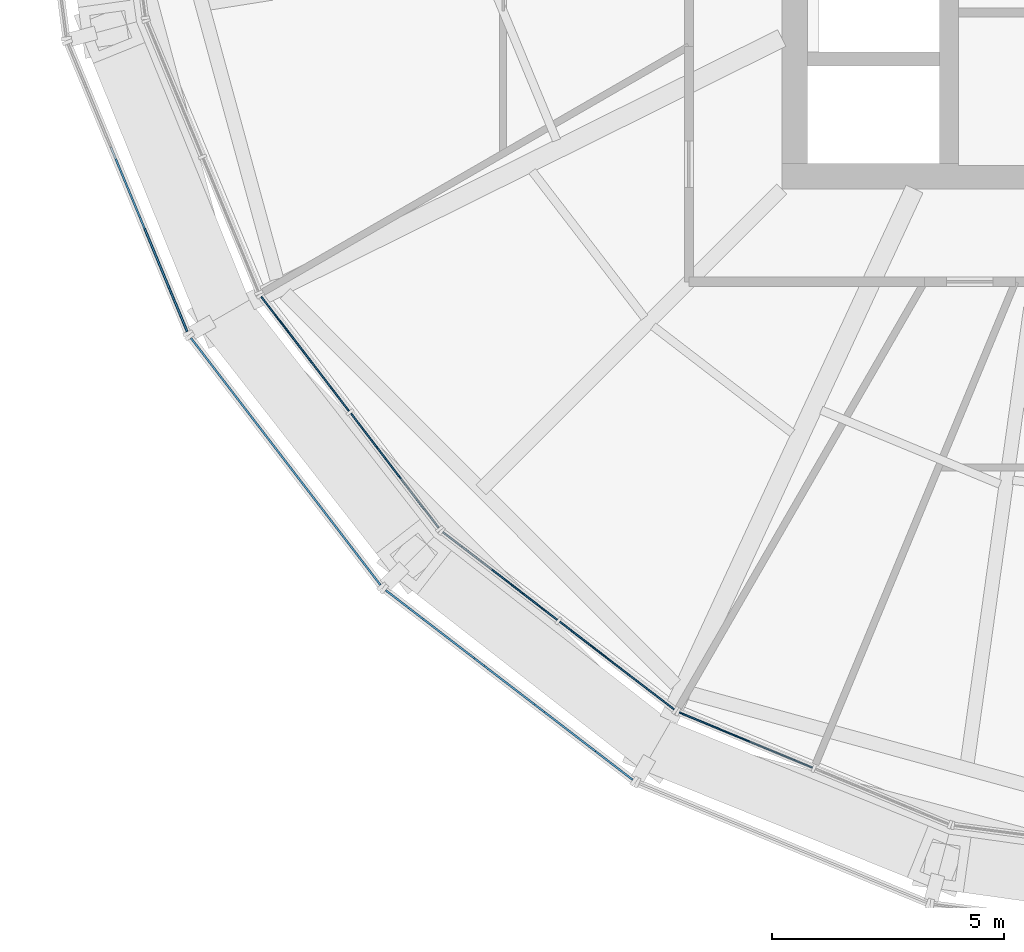
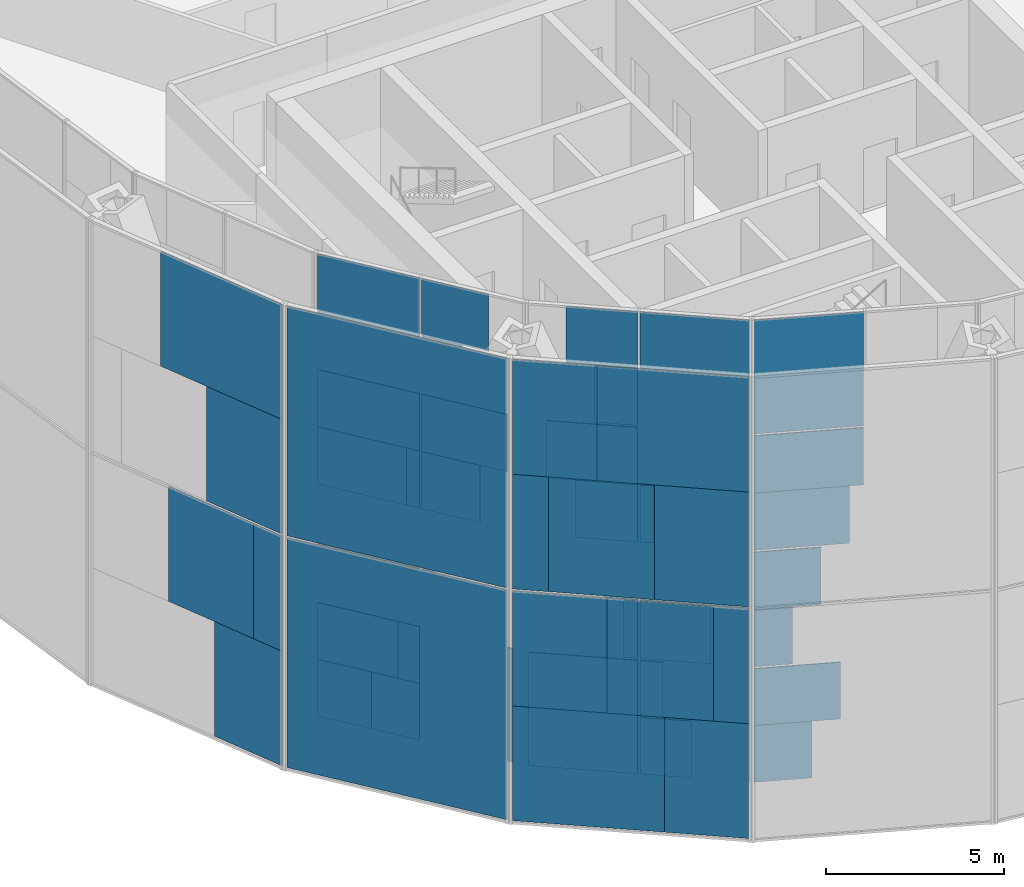
# One storey, part 13 of 29: 62 plates, 6 elements without a shape of their own.
"""IFC4 building model written with IfcOpenShell, lengths in metres."""

from ifc_helpers import new_model, si_unit, direction, frame, origin, origin_2d, place, context, subcontext, project, spatial, rectangle, extrude, material, layer, layer_set, type_object, element, aggregate, save


model = new_model("IFC4")

# Units and contexts
model_context = context("Model", 3, precision=1e-05, world=origin(), true_north=direction((0.0, 1.0)))
body_context = subcontext(model_context, "Body", "Model", "MODEL_VIEW")
ifc_project = project(units=[si_unit("LENGTHUNIT", "METRE"), si_unit("AREAUNIT", "SQUARE_METRE"), si_unit("VOLUMEUNIT", "CUBIC_METRE"), si_unit("PLANEANGLEUNIT", "RADIAN"), si_unit("MASSUNIT", "GRAM", prefix="KILO")], contexts=[model_context])

# Site, building, storey
site_placement = place(None, origin())
site = spatial("IfcSite", under=ifc_project, at=site_placement, CompositionType="ELEMENT")
building_placement = place(site_placement, origin())
building = spatial("IfcBuilding", under=site, at=building_placement, Name="Golbaran Civic Tower", CompositionType="ELEMENT")
storey_placement = place(building_placement, frame((0.0, 0.0, 118.0)))
storey = spatial("IfcBuildingStorey", under=building, at=storey_placement, Name="L28", CompositionType="ELEMENT", Elevation=118.0)

# Curtain wall, plates
ifc_material_1 = material(Name="Aluminium and glass", Category="aluminium")
curtain_wall_type_1 = type_object("IfcCurtainWallType", Name="INNER SKIN CURTAIN WALL", PredefinedType="NOTDEFINED", material=ifc_material_1)
curtain_wall_1_placement = place(storey_placement, origin())
curtain_wall_1 = element("IfcCurtainWall", 1, at=curtain_wall_1_placement, inside=storey, type_object=curtain_wall_type_1, Name="Inner skin L28 facet 15 CW1", ObjectType="INNER SKIN", PredefinedType="USERDEFINED")
ifc_material_2 = material(Name="Clear insulating glass", Category="glass")
ifc_layer_1 = layer(ifc_material_2, 0.031982421875, Name="Clear insulating glass")
ifc_layer_set_1 = layer_set([ifc_layer_1], Name="Clear insulating glass")
plate_type_1 = type_object("IfcPlateType", Name="INNER SKIN CURTAIN WALL GLAZED PANEL", PredefinedType="CURTAIN_PANEL", material=ifc_layer_set_1)
plate_1_placement = place(storey_placement, frame((-19.761474609375, -14.203125, 0.06494140625), z_axis=(0.0, 0.0, 1.0), x_axis=(0.608761428898, -0.793353340376, 0.0)))
plate_1 = element("IfcPlate", 2, at=plate_1_placement, type_object=plate_type_1, Name="CW1 panel 1.1 part 2", PredefinedType="CURTAIN_PANEL", context=body_context, shape_type="SweptSolid", body=[
    extrude(rectangle(XDim=1.458740234375, YDim=0.031982421875, at=origin_2d()), origin(), (0.0, 0.0, 1.0), 1.951171875),
])
plate_2_placement = place(storey_placement, frame((-19.515869140625, -14.523193359375, 2.016357421875), z_axis=(0.0, 0.0, 1.0), x_axis=(0.608761428898, -0.793353340376, 0.0)))
plate_2 = element("IfcPlate", 3, at=plate_2_placement, type_object=plate_type_1, Name="CW1 panel 1.1 part 4", PredefinedType="CURTAIN_PANEL", context=body_context, shape_type="SweptSolid", body=[
    extrude(rectangle(XDim=0.65185546875, YDim=0.031982421875, at=origin_2d()), origin(), (0.0, 0.0, 1.0), 1.951171875),
])
plate_3_placement = place(storey_placement, frame((-20.87548828125, -12.751220703125, 4.03271484375), z_axis=(0.0, 0.0, 1.0), x_axis=(0.608761428898, -0.793353340376, 0.0)))
plate_3 = element("IfcPlate", 4, at=plate_3_placement, type_object=plate_type_1, Name="CW1 panel 1.2 part 1", PredefinedType="CURTAIN_PANEL", context=body_context, shape_type="SweptSolid", body=[
    extrude(rectangle(XDim=1.091064453125, YDim=0.031982421875, at=origin_2d()), origin(), (0.0, 0.0, 1.0), 1.967529296875),
])
plate_4_placement = place(storey_placement, frame((-20.627685546875, -13.07421875, 6.0), z_axis=(0.0, 0.0, 1.0), x_axis=(0.608761428898, -0.793353340376, 0.0)))
plate_4 = element("IfcPlate", 5, at=plate_4_placement, type_object=plate_type_1, Name="CW1 panel 1.2 part 3", PredefinedType="CURTAIN_PANEL", context=body_context, shape_type="SweptSolid", body=[
    extrude(rectangle(XDim=1.905029296875, YDim=0.031982421875, at=origin_2d()), origin(), (0.0, 0.0, 1.0), 1.967529296875),
])
plate_5_placement = place(storey_placement, frame((-20.384765625, -13.390869140625, 8.03271484375), z_axis=(0.0, 0.0, 1.0), x_axis=(0.608761428898, -0.793353340376, 0.0)))
plate_5 = element("IfcPlate", 6, at=plate_5_placement, type_object=plate_type_1, Name="CW1 panel 1.3 part 1", PredefinedType="CURTAIN_PANEL", context=body_context, shape_type="SweptSolid", body=[
    extrude(rectangle(XDim=2.702880859375, YDim=0.031982421875, at=origin_2d()), origin(), (0.0, 0.0, 1.0), 1.967529296875),
])
plate_6_placement = place(storey_placement, frame((-20.262451171875, -13.55029296875, 10.0), z_axis=(0.0, 0.0, 1.0), x_axis=(0.608761428898, -0.793353340376, 0.0)))
plate_6 = element("IfcPlate", 7, at=plate_6_placement, type_object=plate_type_1, Name="CW1 panel 1.3 part 3", PredefinedType="CURTAIN_PANEL", context=body_context, shape_type="SweptSolid", body=[
    extrude(rectangle(XDim=3.104736328125, YDim=0.031982421875, at=origin_2d()), origin(), (0.0, 0.0, 1.0), 1.967529296875),
])
plate_7_placement = place(storey_placement, frame((-20.262451171875, -13.55029296875, 12.0322265625), z_axis=(0.0, 0.0, 1.0), x_axis=(0.608761428898, -0.793353340376, 0.0)))
plate_7 = element("IfcPlate", 8, at=plate_7_placement, type_object=plate_type_1, Name="CW1 panel 1.4", PredefinedType="CURTAIN_PANEL", context=body_context, shape_type="SweptSolid", body=[
    extrude(rectangle(XDim=3.104736328125, YDim=0.031982421875, at=origin_2d()), origin(), (0.0, 0.0, 1.0), 3.902587890625),
])
plate_8_placement = place(storey_placement, frame((-18.332763671875, -16.06494140625, 0.06494140625), z_axis=(0.0, 0.0, 1.0), x_axis=(0.608761428898, -0.793353340376, 0.0)))
plate_8 = element("IfcPlate", 9, at=plate_8_placement, type_object=plate_type_1, Name="CW1 panel 2.1", PredefinedType="CURTAIN_PANEL", context=body_context, shape_type="SweptSolid", body=[
    extrude(rectangle(XDim=3.104736328125, YDim=0.031982421875, at=origin_2d()), origin(), (0.0, 0.0, 1.0), 3.902587890625),
])
plate_9_placement = place(storey_placement, frame((-18.90283203125, -15.322021484375, 12.032470703125), z_axis=(0.0, 0.0, 1.0), x_axis=(0.608761428898, -0.793353340376, 0.0)))
plate_9 = element("IfcPlate", 10, at=plate_9_placement, type_object=plate_type_1, Name="CW1 panel 2.4 part 1", PredefinedType="CURTAIN_PANEL", context=body_context, shape_type="SweptSolid", body=[
    extrude(rectangle(XDim=1.23193359375, YDim=0.031982421875, at=origin_2d()), origin(), (0.0, 0.0, 1.0), 1.951171875),
])
plate_10_placement = place(storey_placement, frame((-18.656982421875, -15.642578125, 13.98388671875), z_axis=(0.0, 0.0, 1.0), x_axis=(0.608761428898, -0.793353340376, 0.0)))
plate_10 = element("IfcPlate", 11, at=plate_10_placement, type_object=plate_type_1, Name="CW1 panel 2.4 part 3", PredefinedType="CURTAIN_PANEL", context=body_context, shape_type="SweptSolid", body=[
    extrude(rectangle(XDim=2.0400390625, YDim=0.031982421875, at=origin_2d()), origin(), (0.0, 0.0, 1.0), 1.951171875),
])

curtain_wall_2_placement = place(storey_placement, origin())
curtain_wall_2 = element("IfcCurtainWall", 12, at=curtain_wall_2_placement, inside=storey, type_object=curtain_wall_type_1, Name="Inner skin L28 facet 16 CW1", ObjectType="INNER SKIN", PredefinedType="USERDEFINED")
plate_11_placement = place(storey_placement, frame((-16.06494140625, -18.332763671875, 0.06494140625), z_axis=(0.0, 0.0, 1.0), x_axis=(0.793353340376, -0.608761428898, 0.0)))
plate_11 = element("IfcPlate", 13, at=plate_11_placement, type_object=plate_type_1, Name="CW1 panel 1.1", PredefinedType="CURTAIN_PANEL", context=body_context, shape_type="SweptSolid", body=[
    extrude(rectangle(XDim=3.104736328125, YDim=0.031982421875, at=origin_2d()), origin(), (0.0, 0.0, 1.0), 3.902587890625),
])
plate_12_placement = place(storey_placement, frame((-15.322021484375, -18.90283203125, 12.032470703125), z_axis=(0.0, 0.0, 1.0), x_axis=(0.793353340376, -0.608761428898, 0.0)))
plate_12 = element("IfcPlate", 14, at=plate_12_placement, type_object=plate_type_1, Name="CW1 panel 1.4 part 2", PredefinedType="CURTAIN_PANEL", context=body_context, shape_type="SweptSolid", body=[
    extrude(rectangle(XDim=1.23193359375, YDim=0.031982421875, at=origin_2d()), origin(), (0.0, 0.0, 1.0), 1.951171875),
])
plate_13_placement = place(storey_placement, frame((-15.642578125, -18.656982421875, 13.98388671875), z_axis=(0.0, 0.0, 1.0), x_axis=(0.793353340376, -0.608761428898, 0.0)))
plate_13 = element("IfcPlate", 15, at=plate_13_placement, type_object=plate_type_1, Name="CW1 panel 1.4 part 4", PredefinedType="CURTAIN_PANEL", context=body_context, shape_type="SweptSolid", body=[
    extrude(rectangle(XDim=2.039794921875, YDim=0.031982421875, at=origin_2d()), origin(), (0.0, 0.0, 1.0), 1.951171875),
])
plate_14_placement = place(storey_placement, frame((-14.203125, -19.761474609375, 0.06494140625), z_axis=(0.0, 0.0, 1.0), x_axis=(0.793353340376, -0.608761428898, 0.0)))
plate_14 = element("IfcPlate", 16, at=plate_14_placement, type_object=plate_type_1, Name="CW1 panel 2.1 part 1", PredefinedType="CURTAIN_PANEL", context=body_context, shape_type="SweptSolid", body=[
    extrude(rectangle(XDim=1.458984375, YDim=0.031982421875, at=origin_2d()), origin(), (0.0, 0.0, 1.0), 1.951171875),
])
plate_15_placement = place(storey_placement, frame((-14.5234375, -19.515625, 2.016357421875), z_axis=(0.0, 0.0, 1.0), x_axis=(0.793353340376, -0.608761428898, 0.0)))
plate_15 = element("IfcPlate", 17, at=plate_15_placement, type_object=plate_type_1, Name="CW1 panel 2.1 part 3", PredefinedType="CURTAIN_PANEL", context=body_context, shape_type="SweptSolid", body=[
    extrude(rectangle(XDim=0.65087890625, YDim=0.031982421875, at=origin_2d()), origin(), (0.0, 0.0, 1.0), 1.951171875),
])
plate_16_placement = place(storey_placement, frame((-12.751220703125, -20.87548828125, 4.03271484375), z_axis=(0.0, 0.0, 1.0), x_axis=(0.793353340376, -0.608761428898, 0.0)))
plate_16 = element("IfcPlate", 18, at=plate_16_placement, type_object=plate_type_1, Name="CW1 panel 2.2 part 2", PredefinedType="CURTAIN_PANEL", context=body_context, shape_type="SweptSolid", body=[
    extrude(rectangle(XDim=1.0908203125, YDim=0.031982421875, at=origin_2d()), origin(), (0.0, 0.0, 1.0), 1.967529296875),
])
plate_17_placement = place(storey_placement, frame((-13.074462890625, -20.62744140625, 6.0), z_axis=(0.0, 0.0, 1.0), x_axis=(0.793353340376, -0.608761428898, 0.0)))
plate_17 = element("IfcPlate", 19, at=plate_17_placement, type_object=plate_type_1, Name="CW1 panel 2.2 part 4", PredefinedType="CURTAIN_PANEL", context=body_context, shape_type="SweptSolid", body=[
    extrude(rectangle(XDim=1.90576171875, YDim=0.031982421875, at=origin_2d()), origin(), (0.0, 0.0, 1.0), 1.967529296875),
])
plate_18_placement = place(storey_placement, frame((-13.3916015625, -20.38427734375, 8.03271484375), z_axis=(0.0, 0.0, 1.0), x_axis=(0.793353340376, -0.608761428898, 0.0)))
plate_18 = element("IfcPlate", 20, at=plate_18_placement, type_object=plate_type_1, Name="CW1 panel 2.3 part 2", PredefinedType="CURTAIN_PANEL", context=body_context, shape_type="SweptSolid", body=[
    extrude(rectangle(XDim=2.704833984375, YDim=0.031982421875, at=origin_2d()), origin(), (0.0, 0.0, 1.0), 1.967529296875),
])
plate_19_placement = place(storey_placement, frame((-13.55029296875, -20.262451171875, 10.0), z_axis=(0.0, 0.0, 1.0), x_axis=(0.793353340376, -0.608761428898, 0.0)))
plate_19 = element("IfcPlate", 21, at=plate_19_placement, type_object=plate_type_1, Name="CW1 panel 2.3 part 3", PredefinedType="CURTAIN_PANEL", context=body_context, shape_type="SweptSolid", body=[
    extrude(rectangle(XDim=3.104736328125, YDim=0.031982421875, at=origin_2d()), origin(), (0.0, 0.0, 1.0), 1.967529296875),
])
plate_20_placement = place(storey_placement, frame((-13.55029296875, -20.262451171875, 12.0322265625), z_axis=(0.0, 0.0, 1.0), x_axis=(0.793353340376, -0.608761428898, 0.0)))
plate_20 = element("IfcPlate", 22, at=plate_20_placement, type_object=plate_type_1, Name="CW1 panel 2.4", PredefinedType="CURTAIN_PANEL", context=body_context, shape_type="SweptSolid", body=[
    extrude(rectangle(XDim=3.104736328125, YDim=0.031982421875, at=origin_2d()), origin(), (0.0, 0.0, 1.0), 3.902587890625),
])

curtain_wall_3_placement = place(storey_placement, origin())
curtain_wall_3 = element("IfcCurtainWall", 23, at=curtain_wall_3_placement, inside=storey, type_object=curtain_wall_type_1, Name="Inner skin L28 facet 17 CW1", ObjectType="INNER SKIN", PredefinedType="USERDEFINED")
plate_21_placement = place(storey_placement, frame((-11.702880859375, -21.480712890625, 4.03271484375), z_axis=(0.0, 0.0, 1.0), x_axis=(0.923879532485, -0.38268343243, 0.0)))
plate_21 = element("IfcPlate", 24, at=plate_21_placement, type_object=plate_type_1, Name="CW1 panel 1.2 part 1", PredefinedType="CURTAIN_PANEL", context=body_context, shape_type="SweptSolid", body=[
    extrude(rectangle(XDim=1.091064453125, YDim=0.031982421875, at=origin_2d()), origin(), (0.0, 0.0, 1.0), 1.967529296875),
])
plate_22_placement = place(storey_placement, frame((-11.326904296875, -21.636474609375, 6.0), z_axis=(0.0, 0.0, 1.0), x_axis=(0.923879532485, -0.38268343243, 0.0)))
plate_22 = element("IfcPlate", 25, at=plate_22_placement, type_object=plate_type_1, Name="CW1 panel 1.2 part 3", PredefinedType="CURTAIN_PANEL", context=body_context, shape_type="SweptSolid", body=[
    extrude(rectangle(XDim=1.905029296875, YDim=0.031982421875, at=origin_2d()), origin(), (0.0, 0.0, 1.0), 1.967529296875),
])
plate_23_placement = place(storey_placement, frame((-10.958251953125, -21.7890625, 8.03271484375), z_axis=(0.0, 0.0, 1.0), x_axis=(0.923879532485, -0.38268343243, 0.0)))
plate_23 = element("IfcPlate", 26, at=plate_23_placement, type_object=plate_type_1, Name="CW1 panel 1.3 part 1", PredefinedType="CURTAIN_PANEL", context=body_context, shape_type="SweptSolid", body=[
    extrude(rectangle(XDim=2.702880859375, YDim=0.031982421875, at=origin_2d()), origin(), (0.0, 0.0, 1.0), 1.967529296875),
])
plate_24_placement = place(storey_placement, frame((-10.772705078125, -21.865966796875, 10.0), z_axis=(0.0, 0.0, 1.0), x_axis=(0.923879532485, -0.38268343243, 0.0)))
plate_24 = element("IfcPlate", 27, at=plate_24_placement, type_object=plate_type_1, Name="CW1 panel 1.3 part 3", PredefinedType="CURTAIN_PANEL", context=body_context, shape_type="SweptSolid", body=[
    extrude(rectangle(XDim=3.104736328125, YDim=0.031982421875, at=origin_2d()), origin(), (0.0, 0.0, 1.0), 1.967529296875),
])
plate_25_placement = place(storey_placement, frame((-10.772705078125, -21.865966796875, 12.0322265625), z_axis=(0.0, 0.0, 1.0), x_axis=(0.923879532485, -0.38268343243, 0.0)))
plate_25 = element("IfcPlate", 28, at=plate_25_placement, type_object=plate_type_1, Name="CW1 panel 1.4", PredefinedType="CURTAIN_PANEL", context=body_context, shape_type="SweptSolid", body=[
    extrude(rectangle(XDim=3.104736328125, YDim=0.031982421875, at=origin_2d()), origin(), (0.0, 0.0, 1.0), 3.902587890625),
])

# Plate
ifc_material_3 = material(Name="Aluminium faced opaque infill panel", Category="aluminium")
ifc_layer_2 = layer(ifc_material_3, 0.031982421875, Name="Aluminium faced opaque infill panel")
ifc_layer_set_2 = layer_set([ifc_layer_2], Name="Aluminium faced opaque infill panel")
plate_type_2 = type_object("IfcPlateType", Name="INNER SKIN CURTAIN WALL OPAQUE INFILL PANEL", PredefinedType="CURTAIN_PANEL", material=ifc_layer_set_2)
plate_26_placement = place(storey_placement, frame((-20.70654296875, -12.971435546875, 0.06494140625), z_axis=(0.0, 0.0, 1.0), x_axis=(0.608761428898, -0.793353340376, 0.0)))
plate_26 = element("IfcPlate", 29, at=plate_26_placement, type_object=plate_type_2, Name="CW1 infill panel 1.1 part 1", PredefinedType="CURTAIN_PANEL", context=body_context, shape_type="SweptSolid", body=[
    extrude(rectangle(XDim=1.64599609375, YDim=0.031982421875, at=origin_2d()), origin(), (0.0, 0.0, 1.0), 1.951171875),
])

plate_27_placement = place(storey_placement, frame((-20.4609375, -13.29150390625, 2.016357421875), z_axis=(0.0, 0.0, 1.0), x_axis=(0.608761428898, -0.793353340376, 0.0)))
plate_27 = element("IfcPlate", 30, at=plate_27_placement, type_object=plate_type_2, Name="CW1 infill panel 1.1 part 3", PredefinedType="CURTAIN_PANEL", context=body_context, shape_type="SweptSolid", body=[
    extrude(rectangle(XDim=2.452880859375, YDim=0.031982421875, at=origin_2d()), origin(), (0.0, 0.0, 1.0), 1.951171875),
])

plate_28_placement = place(storey_placement, frame((-19.930419921875, -13.98291015625, 4.03271484375), z_axis=(0.0, 0.0, 1.0), x_axis=(0.608761428898, -0.793353340376, 0.0)))
plate_28 = element("IfcPlate", 31, at=plate_28_placement, type_object=plate_type_2, Name="CW1 infill panel 1.2 part 2", PredefinedType="CURTAIN_PANEL", context=body_context, shape_type="SweptSolid", body=[
    extrude(rectangle(XDim=2.013916015625, YDim=0.031982421875, at=origin_2d()), origin(), (0.0, 0.0, 1.0), 1.967529296875),
])

plate_29_placement = place(storey_placement, frame((-19.6826171875, -14.305908203125, 6.0), z_axis=(0.0, 0.0, 1.0), x_axis=(0.608761428898, -0.793353340376, 0.0)))
plate_29 = element("IfcPlate", 32, at=plate_29_placement, type_object=plate_type_2, Name="CW1 infill panel 1.2 part 4", PredefinedType="CURTAIN_PANEL", context=body_context, shape_type="SweptSolid", body=[
    extrude(rectangle(XDim=1.199951171875, YDim=0.031982421875, at=origin_2d()), origin(), (0.0, 0.0, 1.0), 1.967529296875),
])

plate_30_placement = place(storey_placement, frame((-19.439697265625, -14.622314453125, 8.03271484375), z_axis=(0.0, 0.0, 1.0), x_axis=(0.608761428898, -0.793353340376, 0.0)))
plate_30 = element("IfcPlate", 33, at=plate_30_placement, type_object=plate_type_2, Name="CW1 infill panel 1.3 part 2", PredefinedType="CURTAIN_PANEL", context=body_context, shape_type="SweptSolid", body=[
    extrude(rectangle(XDim=0.40185546875, YDim=0.031982421875, at=origin_2d()), origin(), (0.0, 0.0, 1.0), 1.967529296875),
])

plate_31_placement = place(storey_placement, frame((-19.15576171875, -14.992431640625, 4.03271484375), z_axis=(0.0, 0.0, 1.0), x_axis=(0.608761428898, -0.793353340376, 0.0)))
plate_31 = element("IfcPlate", 34, at=plate_31_placement, type_object=plate_type_2, Name="CW1 infill panel 2.2 part 1", PredefinedType="CURTAIN_PANEL", context=body_context, shape_type="SweptSolid", body=[
    extrude(rectangle(XDim=0.40087890625, YDim=0.031982421875, at=origin_2d()), origin(), (0.0, 0.0, 1.0), 1.967529296875),
])

plate_32_placement = place(storey_placement, frame((-18.991943359375, -15.205810546875, 6.0), z_axis=(0.0, 0.0, 1.0), x_axis=(0.608761428898, -0.793353340376, 0.0)))
plate_32 = element("IfcPlate", 35, at=plate_32_placement, type_object=plate_type_2, Name="CW1 infill panel 2.2 part 3", PredefinedType="CURTAIN_PANEL", context=body_context, shape_type="SweptSolid", body=[
    extrude(rectangle(XDim=0.93896484375, YDim=0.031982421875, at=origin_2d()), origin(), (0.0, 0.0, 1.0), 1.967529296875),
])

plate_33_placement = place(storey_placement, frame((-18.736083984375, -15.53955078125, 8.03271484375), z_axis=(0.0, 0.0, 1.0), x_axis=(0.608761428898, -0.793353340376, 0.0)))
plate_33 = element("IfcPlate", 36, at=plate_33_placement, type_object=plate_type_2, Name="CW1 infill panel 2.3 part 1", PredefinedType="CURTAIN_PANEL", context=body_context, shape_type="SweptSolid", body=[
    extrude(rectangle(XDim=1.780029296875, YDim=0.031982421875, at=origin_2d()), origin(), (0.0, 0.0, 1.0), 1.967529296875),
])

plate_34_placement = place(storey_placement, frame((-18.488037109375, -15.86279296875, 10.0), z_axis=(0.0, 0.0, 1.0), x_axis=(0.608761428898, -0.793353340376, 0.0)))
plate_34 = element("IfcPlate", 37, at=plate_34_placement, type_object=plate_type_2, Name="CW1 infill panel 2.3 part 3", PredefinedType="CURTAIN_PANEL", context=body_context, shape_type="SweptSolid", body=[
    extrude(rectangle(XDim=2.594970703125, YDim=0.031982421875, at=origin_2d()), origin(), (0.0, 0.0, 1.0), 1.967529296875),
])

aggregate(curtain_wall_1, [plate_26, plate_1, plate_27, plate_2, plate_3, plate_28, plate_4, plate_29, plate_5, plate_30, plate_6, plate_7, plate_8, plate_31, plate_32, plate_33, plate_34, plate_9, plate_10])

plate_35_placement = place(storey_placement, frame((-14.99267578125, -19.155517578125, 4.03271484375), z_axis=(0.0, 0.0, 1.0), x_axis=(0.793353340376, -0.608761428898, 0.0)))
plate_35 = element("IfcPlate", 38, at=plate_35_placement, type_object=plate_type_2, Name="CW1 infill panel 1.2 part 2", PredefinedType="CURTAIN_PANEL", context=body_context, shape_type="SweptSolid", body=[
    extrude(rectangle(XDim=0.40185546875, YDim=0.031982421875, at=origin_2d()), origin(), (0.0, 0.0, 1.0), 1.967529296875),
])

plate_36_placement = place(storey_placement, frame((-15.205810546875, -18.9921875, 6.0), z_axis=(0.0, 0.0, 1.0), x_axis=(0.793353340376, -0.608761428898, 0.0)))
plate_36 = element("IfcPlate", 39, at=plate_36_placement, type_object=plate_type_2, Name="CW1 infill panel 1.2 part 4", PredefinedType="CURTAIN_PANEL", context=body_context, shape_type="SweptSolid", body=[
    extrude(rectangle(XDim=0.938720703125, YDim=0.031982421875, at=origin_2d()), origin(), (0.0, 0.0, 1.0), 1.967529296875),
])

plate_37_placement = place(storey_placement, frame((-15.539306640625, -18.736083984375, 8.03271484375), z_axis=(0.0, 0.0, 1.0), x_axis=(0.793353340376, -0.608761428898, 0.0)))
plate_37 = element("IfcPlate", 40, at=plate_37_placement, type_object=plate_type_2, Name="CW1 infill panel 1.3 part 2", PredefinedType="CURTAIN_PANEL", context=body_context, shape_type="SweptSolid", body=[
    extrude(rectangle(XDim=1.77978515625, YDim=0.031982421875, at=origin_2d()), origin(), (0.0, 0.0, 1.0), 1.967529296875),
])

plate_38_placement = place(storey_placement, frame((-15.86279296875, -18.488037109375, 10.0), z_axis=(0.0, 0.0, 1.0), x_axis=(0.793353340376, -0.608761428898, 0.0)))
plate_38 = element("IfcPlate", 41, at=plate_38_placement, type_object=plate_type_2, Name="CW1 infill panel 1.3 part 4", PredefinedType="CURTAIN_PANEL", context=body_context, shape_type="SweptSolid", body=[
    extrude(rectangle(XDim=2.5947265625, YDim=0.031982421875, at=origin_2d()), origin(), (0.0, 0.0, 1.0), 1.967529296875),
])

plate_39_placement = place(storey_placement, frame((-12.971435546875, -20.70654296875, 0.06494140625), z_axis=(0.0, 0.0, 1.0), x_axis=(0.793353340376, -0.608761428898, 0.0)))
plate_39 = element("IfcPlate", 42, at=plate_39_placement, type_object=plate_type_2, Name="CW1 infill panel 2.1 part 2", PredefinedType="CURTAIN_PANEL", context=body_context, shape_type="SweptSolid", body=[
    extrude(rectangle(XDim=1.645751953125, YDim=0.031982421875, at=origin_2d()), origin(), (0.0, 0.0, 1.0), 1.951171875),
])

plate_40_placement = place(storey_placement, frame((-13.2919921875, -20.460693359375, 2.016357421875), z_axis=(0.0, 0.0, 1.0), x_axis=(0.793353340376, -0.608761428898, 0.0)))
plate_40 = element("IfcPlate", 43, at=plate_40_placement, type_object=plate_type_2, Name="CW1 infill panel 2.1 part 4", PredefinedType="CURTAIN_PANEL", context=body_context, shape_type="SweptSolid", body=[
    extrude(rectangle(XDim=2.453857421875, YDim=0.031982421875, at=origin_2d()), origin(), (0.0, 0.0, 1.0), 1.951171875),
])

plate_41_placement = place(storey_placement, frame((-13.98291015625, -19.930419921875, 4.03271484375), z_axis=(0.0, 0.0, 1.0), x_axis=(0.793353340376, -0.608761428898, 0.0)))
plate_41 = element("IfcPlate", 44, at=plate_41_placement, type_object=plate_type_2, Name="CW1 infill panel 2.2 part 1", PredefinedType="CURTAIN_PANEL", context=body_context, shape_type="SweptSolid", body=[
    extrude(rectangle(XDim=2.013916015625, YDim=0.031982421875, at=origin_2d()), origin(), (0.0, 0.0, 1.0), 1.967529296875),
])

plate_42_placement = place(storey_placement, frame((-14.30615234375, -19.682373046875, 6.0), z_axis=(0.0, 0.0, 1.0), x_axis=(0.793353340376, -0.608761428898, 0.0)))
plate_42 = element("IfcPlate", 45, at=plate_42_placement, type_object=plate_type_2, Name="CW1 infill panel 2.2 part 3", PredefinedType="CURTAIN_PANEL", context=body_context, shape_type="SweptSolid", body=[
    extrude(rectangle(XDim=1.198974609375, YDim=0.031982421875, at=origin_2d()), origin(), (0.0, 0.0, 1.0), 1.967529296875),
])

plate_43_placement = place(storey_placement, frame((-14.623046875, -19.439208984375, 8.03271484375), z_axis=(0.0, 0.0, 1.0), x_axis=(0.793353340376, -0.608761428898, 0.0)))
plate_43 = element("IfcPlate", 46, at=plate_43_placement, type_object=plate_type_2, Name="CW1 infill panel 2.3 part 1", PredefinedType="CURTAIN_PANEL", context=body_context, shape_type="SweptSolid", body=[
    extrude(rectangle(XDim=0.39990234375, YDim=0.031982421875, at=origin_2d()), origin(), (0.0, 0.0, 1.0), 1.967529296875),
])

aggregate(curtain_wall_2, [plate_11, plate_35, plate_36, plate_37, plate_38, plate_12, plate_13, plate_14, plate_39, plate_15, plate_40, plate_41, plate_16, plate_42, plate_17, plate_43, plate_18, plate_19, plate_20])

plate_44_placement = place(storey_placement, frame((-11.446533203125, -21.5869140625, 0.06494140625), z_axis=(0.0, 0.0, 1.0), x_axis=(0.923879532485, -0.38268343243, 0.0)))
plate_44 = element("IfcPlate", 47, at=plate_44_placement, type_object=plate_type_2, Name="CW1 infill panel 1.1 part 1", PredefinedType="CURTAIN_PANEL", context=body_context, shape_type="SweptSolid", body=[
    extrude(rectangle(XDim=1.64599609375, YDim=0.031982421875, at=origin_2d()), origin(), (0.0, 0.0, 1.0), 1.951171875),
])

plate_45_placement = place(storey_placement, frame((-11.07373046875, -21.7412109375, 2.016357421875), z_axis=(0.0, 0.0, 1.0), x_axis=(0.923879532485, -0.38268343243, 0.0)))
plate_45 = element("IfcPlate", 48, at=plate_45_placement, type_object=plate_type_2, Name="CW1 infill panel 1.1 part 3", PredefinedType="CURTAIN_PANEL", context=body_context, shape_type="SweptSolid", body=[
    extrude(rectangle(XDim=2.452880859375, YDim=0.031982421875, at=origin_2d()), origin(), (0.0, 0.0, 1.0), 1.951171875),
])

aggregate(curtain_wall_3, [plate_44, plate_45, plate_21, plate_22, plate_23, plate_24, plate_25])

# Curtain wall, plates
curtain_wall_type_2 = type_object("IfcCurtainWallType", Name="OUTER SKIN TERRACOTTA SCREEN", PredefinedType="NOTDEFINED", material=ifc_material_1)
curtain_wall_4_placement = place(storey_placement, origin())
curtain_wall_4 = element("IfcCurtainWall", 49, at=curtain_wall_4_placement, inside=storey, type_object=curtain_wall_type_2, Name="Outer skin L28 facet 14 CW3", ObjectType="OUTER SKIN", PredefinedType="USERDEFINED")
ifc_material_4 = material(Name="Clear laminated glass", Category="glass")
ifc_layer_3 = layer(ifc_material_4, 0.0400390625, Name="Clear laminated glass")
ifc_layer_set_3 = layer_set([ifc_layer_3], Name="Clear laminated glass")
plate_type_3 = type_object("IfcPlateType", Name="OUTER SKIN CLEAR GLASS PANEL", PredefinedType="CURTAIN_PANEL", material=ifc_layer_set_3)
plate_46_placement = place(storey_placement, frame((-22.99365234375, -12.607421875, 3.31005859375), z_axis=(0.0, 0.0, 1.0), x_axis=(0.382683432381, -0.923879532505, 0.0)))
plate_46 = element("IfcPlate", 50, at=plate_46_placement, type_object=plate_type_3, Name="CW3 panel 1.1 part 5", PredefinedType="CURTAIN_PANEL", context=body_context, shape_type="SweptSolid", body=[
    extrude(rectangle(XDim=1.0068359375, YDim=0.0400390625, at=origin_2d()), origin(), (0.0, 0.0, 1.0), 3.93994140625),
])
plate_47_placement = place(storey_placement, frame((-23.31201171875, -11.8388671875, 7.330078125), z_axis=(0.0, 0.0, 1.0), x_axis=(0.382683432381, -0.923879532505, 0.0)))
plate_47 = element("IfcPlate", 51, at=plate_47_placement, type_object=plate_type_3, Name="CW3 panel 1.2 part 3", PredefinedType="CURTAIN_PANEL", context=body_context, shape_type="SweptSolid", body=[
    extrude(rectangle(XDim=2.6708984375, YDim=0.0400390625, at=origin_2d()), origin(), (0.0, 0.0, 1.0), 3.93994140625),
])
plate_48_placement = place(storey_placement, frame((-23.6240234375, -11.0859375, 11.27001953125), z_axis=(0.0, 0.0, 1.0), x_axis=(0.382683432381, -0.923879532505, 0.0)))
plate_48 = element("IfcPlate", 52, at=plate_48_placement, type_object=plate_type_3, Name="CW3 panel 1.2 part 5", PredefinedType="CURTAIN_PANEL", context=body_context, shape_type="SweptSolid", body=[
    extrude(rectangle(XDim=4.30078125, YDim=0.0400390625, at=origin_2d()), origin(), (0.0, 0.0, 1.0), 3.93994140625),
])

curtain_wall_5_placement = place(storey_placement, origin())
curtain_wall_5 = element("IfcCurtainWall", 53, at=curtain_wall_5_placement, inside=storey, type_object=curtain_wall_type_2, Name="Outer skin L28 facet 16 CW3", ObjectType="OUTER SKIN", PredefinedType="USERDEFINED")
plate_49_placement = place(storey_placement, frame((-16.819580078125, -19.951904296875, -0.6298828125), z_axis=(0.0, 0.0, 1.0), x_axis=(0.793353340302, -0.608761428995, 0.0)))
plate_49 = element("IfcPlate", 54, at=plate_49_placement, type_object=plate_type_3, Name="CW3 panel 1.1 part 1", PredefinedType="CURTAIN_PANEL", context=body_context, shape_type="SweptSolid", body=[
    extrude(rectangle(XDim=4.30810546875, YDim=0.0400390625, at=origin_2d()), origin(), (0.0, 0.0, 1.0), 3.93994140625),
])
plate_50_placement = place(storey_placement, frame((-17.466552734375, -19.45556640625, 3.31005859375), z_axis=(0.0, 0.0, 1.0), x_axis=(0.793353340302, -0.608761428995, 0.0)))
plate_50 = element("IfcPlate", 55, at=plate_50_placement, type_object=plate_type_3, Name="CW3 panel 1.1 part 3", PredefinedType="CURTAIN_PANEL", context=body_context, shape_type="SweptSolid", body=[
    extrude(rectangle(XDim=2.677001953125, YDim=0.0400390625, at=origin_2d()), origin(), (0.0, 0.0, 1.0), 3.93994140625),
])
plate_51_placement = place(storey_placement, frame((-13.609375, -22.415283203125, 3.31005859375), z_axis=(0.0, 0.0, 1.0), x_axis=(0.793353340302, -0.608761428995, 0.0)))
plate_51 = element("IfcPlate", 56, at=plate_51_placement, type_object=plate_type_3, Name="CW3 panel 1.1 part 5", PredefinedType="CURTAIN_PANEL", context=body_context, shape_type="SweptSolid", body=[
    extrude(rectangle(XDim=1.0068359375, YDim=0.0400390625, at=origin_2d()), origin(), (0.0, 0.0, 1.0), 3.93994140625),
])
plate_52_placement = place(storey_placement, frame((-18.126220703125, -18.94921875, 7.330078125), z_axis=(0.0, 0.0, 1.0), x_axis=(0.793353340302, -0.608761428995, 0.0)))
plate_52 = element("IfcPlate", 57, at=plate_52_placement, type_object=plate_type_3, Name="CW3 panel 1.2 part 1", PredefinedType="CURTAIN_PANEL", context=body_context, shape_type="SweptSolid", body=[
    extrude(rectangle(XDim=1.013916015625, YDim=0.0400390625, at=origin_2d()), origin(), (0.0, 0.0, 1.0), 3.93994140625),
])
plate_53_placement = place(storey_placement, frame((-14.26953125, -21.90869140625, 7.330078125), z_axis=(0.0, 0.0, 1.0), x_axis=(0.793353340302, -0.608761428995, 0.0)))
plate_53 = element("IfcPlate", 58, at=plate_53_placement, type_object=plate_type_3, Name="CW3 panel 1.2 part 3", PredefinedType="CURTAIN_PANEL", context=body_context, shape_type="SweptSolid", body=[
    extrude(rectangle(XDim=2.6708984375, YDim=0.0400390625, at=origin_2d()), origin(), (0.0, 0.0, 1.0), 3.93994140625),
])
plate_54_placement = place(storey_placement, frame((-14.916015625, -21.41259765625, 11.27001953125), z_axis=(0.0, 0.0, 1.0), x_axis=(0.793353340302, -0.608761428995, 0.0)))
plate_54 = element("IfcPlate", 59, at=plate_54_placement, type_object=plate_type_3, Name="CW3 panel 1.2 part 5", PredefinedType="CURTAIN_PANEL", context=body_context, shape_type="SweptSolid", body=[
    extrude(rectangle(XDim=4.30078125, YDim=0.0400390625, at=origin_2d()), origin(), (0.0, 0.0, 1.0), 3.93994140625),
])

# Plate
ifc_material_5 = material(Name="Terracotta baguette screen", Category="masonry")
ifc_layer_4 = layer(ifc_material_5, 0.0400390625, Name="Terracotta baguette screen")
ifc_layer_set_4 = layer_set([ifc_layer_4], Name="Terracotta baguette screen")
plate_type_4 = type_object("IfcPlateType", Name="OUTER SKIN TERRACOTTA INFILL PANEL", PredefinedType="CURTAIN_PANEL", material=ifc_layer_set_4)
plate_55_placement = place(storey_placement, frame((-23.259521484375, -11.9658203125, -0.6298828125), z_axis=(0.0, 0.0, 1.0), x_axis=(0.382683432381, -0.923879532505, 0.0)))
plate_55 = element("IfcPlate", 60, at=plate_55_placement, type_object=plate_type_4, Name="CW3 infill panel 1.1 part 2", PredefinedType="CURTAIN_PANEL", context=body_context, shape_type="SweptSolid", body=[
    extrude(rectangle(XDim=2.395751953125, YDim=0.0400390625, at=origin_2d()), origin(), (0.0, 0.0, 1.0), 3.93994140625),
])

plate_56_placement = place(storey_placement, frame((-23.76416015625, -10.747314453125, 3.31005859375), z_axis=(0.0, 0.0, 1.0), x_axis=(0.382683432381, -0.923879532505, 0.0)))
plate_56 = element("IfcPlate", 61, at=plate_56_placement, type_object=plate_type_4, Name="CW3 infill panel 1.1 part 4", PredefinedType="CURTAIN_PANEL", context=body_context, shape_type="SweptSolid", body=[
    extrude(rectangle(XDim=3.02001953125, YDim=0.0400390625, at=origin_2d()), origin(), (0.0, 0.0, 1.0), 3.93994140625),
])

aggregate(curtain_wall_4, [plate_55, plate_56, plate_46, plate_47, plate_48])

plate_57_placement = place(storey_placement, frame((-14.160400390625, -21.992431640625, -0.6298828125), z_axis=(0.0, 0.0, 1.0), x_axis=(0.793353340302, -0.608761428995, 0.0)))
plate_57 = element("IfcPlate", 62, at=plate_57_placement, type_object=plate_type_4, Name="CW3 infill panel 1.1 part 2", PredefinedType="CURTAIN_PANEL", context=body_context, shape_type="SweptSolid", body=[
    extrude(rectangle(XDim=2.395751953125, YDim=0.0400390625, at=origin_2d()), origin(), (0.0, 0.0, 1.0), 3.93994140625),
])

plate_58_placement = place(storey_placement, frame((-15.206787109375, -21.189453125, 3.31005859375), z_axis=(0.0, 0.0, 1.0), x_axis=(0.793353340302, -0.608761428995, 0.0)))
plate_58 = element("IfcPlate", 63, at=plate_58_placement, type_object=plate_type_4, Name="CW3 infill panel 1.1 part 4", PredefinedType="CURTAIN_PANEL", context=body_context, shape_type="SweptSolid", body=[
    extrude(rectangle(XDim=3.02001953125, YDim=0.0400390625, at=origin_2d()), origin(), (0.0, 0.0, 1.0), 3.93994140625),
])

plate_59_placement = place(storey_placement, frame((-16.5263671875, -20.1767578125, 7.330078125), z_axis=(0.0, 0.0, 1.0), x_axis=(0.793353340302, -0.608761428995, 0.0)))
plate_59 = element("IfcPlate", 64, at=plate_59_placement, type_object=plate_type_4, Name="CW3 infill panel 1.2 part 2", PredefinedType="CURTAIN_PANEL", context=body_context, shape_type="SweptSolid", body=[
    extrude(rectangle(XDim=3.01904296875, YDim=0.0400390625, at=origin_2d()), origin(), (0.0, 0.0, 1.0), 3.93994140625),
])

plate_60_placement = place(storey_placement, frame((-17.5751953125, -19.3720703125, 11.27001953125), z_axis=(0.0, 0.0, 1.0), x_axis=(0.793353340302, -0.608761428995, 0.0)))
plate_60 = element("IfcPlate", 65, at=plate_60_placement, type_object=plate_type_4, Name="CW3 infill panel 1.2 part 4", PredefinedType="CURTAIN_PANEL", context=body_context, shape_type="SweptSolid", body=[
    extrude(rectangle(XDim=2.403076171875, YDim=0.0400390625, at=origin_2d()), origin(), (0.0, 0.0, 1.0), 3.93994140625),
])

aggregate(curtain_wall_5, [plate_49, plate_57, plate_50, plate_58, plate_51, plate_52, plate_59, plate_53, plate_60, plate_54])

# Curtain wall, plates
curtain_wall_6_placement = place(storey_placement, origin())
curtain_wall_6 = element("IfcCurtainWall", 66, at=curtain_wall_6_placement, inside=storey, type_object=curtain_wall_type_2, Name="Outer skin L28 facet 15 CW3", ObjectType="OUTER SKIN", PredefinedType="USERDEFINED")
ifc_layer_5 = layer(ifc_material_5, 0.0400390625, Name="Terracotta baguette screen")
ifc_layer_set_5 = layer_set([ifc_layer_5], Name="Terracotta baguette screen")
plate_type_5 = type_object("IfcPlateType", Name="OUTER SKIN TERRACOTTA SCREEN PANEL", PredefinedType="CURTAIN_PANEL", material=ifc_layer_set_5)
plate_61_placement = place(storey_placement, frame((-20.68115234375, -15.869140625, -0.6298828125), z_axis=(0.0, 0.0, 1.0), x_axis=(0.608761428995, -0.793353340302, 0.0)))
plate_61 = element("IfcPlate", 67, at=plate_61_placement, type_object=plate_type_5, Name="CW3 terracotta screen panel 1.1", PredefinedType="CURTAIN_PANEL", context=body_context, shape_type="SweptSolid", body=[
    extrude(rectangle(XDim=6.703857421875, YDim=0.0400390625, at=origin_2d()), origin(), (0.0, 0.0, 1.0), 7.8798828125),
])
plate_62_placement = place(storey_placement, frame((-20.68115234375, -15.869140625, 7.330078125), z_axis=(0.0, 0.0, 1.0), x_axis=(0.608761428995, -0.793353340302, 0.0)))
plate_62 = element("IfcPlate", 68, at=plate_62_placement, type_object=plate_type_5, Name="CW3 terracotta screen panel 1.2", PredefinedType="CURTAIN_PANEL", context=body_context, shape_type="SweptSolid", body=[
    extrude(rectangle(XDim=6.703857421875, YDim=0.0400390625, at=origin_2d()), origin(), (0.0, 0.0, 1.0), 7.8798828125),
])
aggregate(curtain_wall_6, [plate_61, plate_62])

save(model, "model.ifc")
